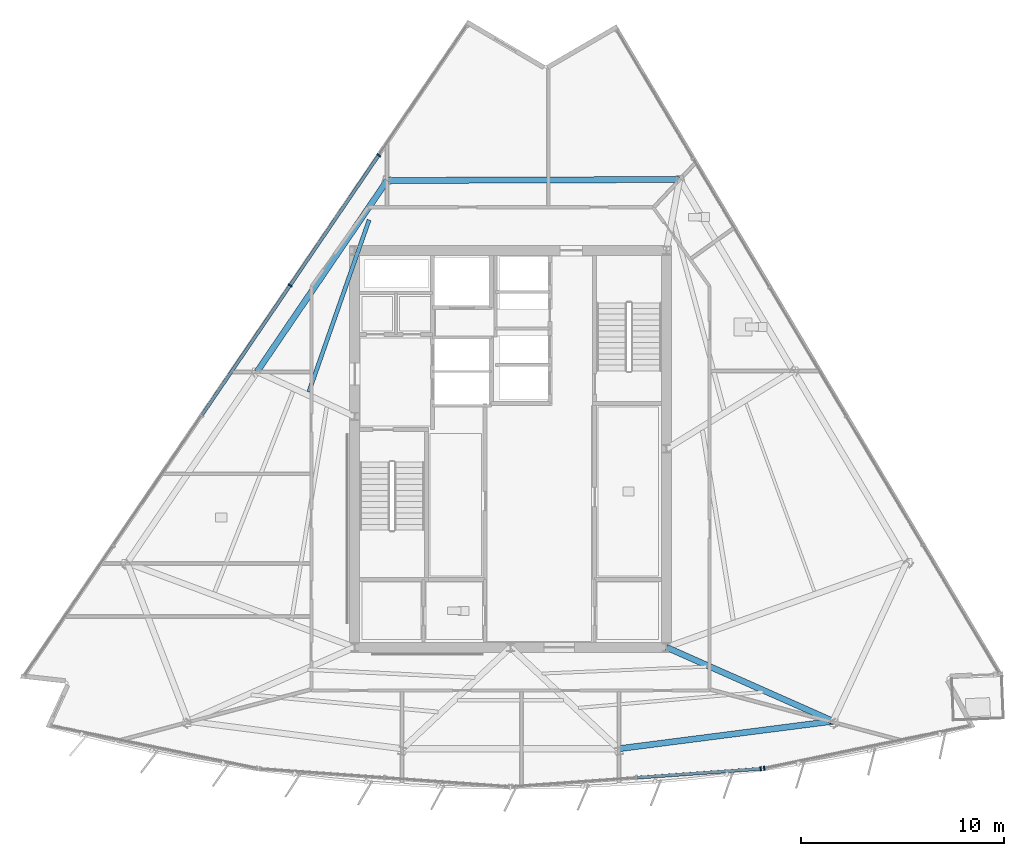
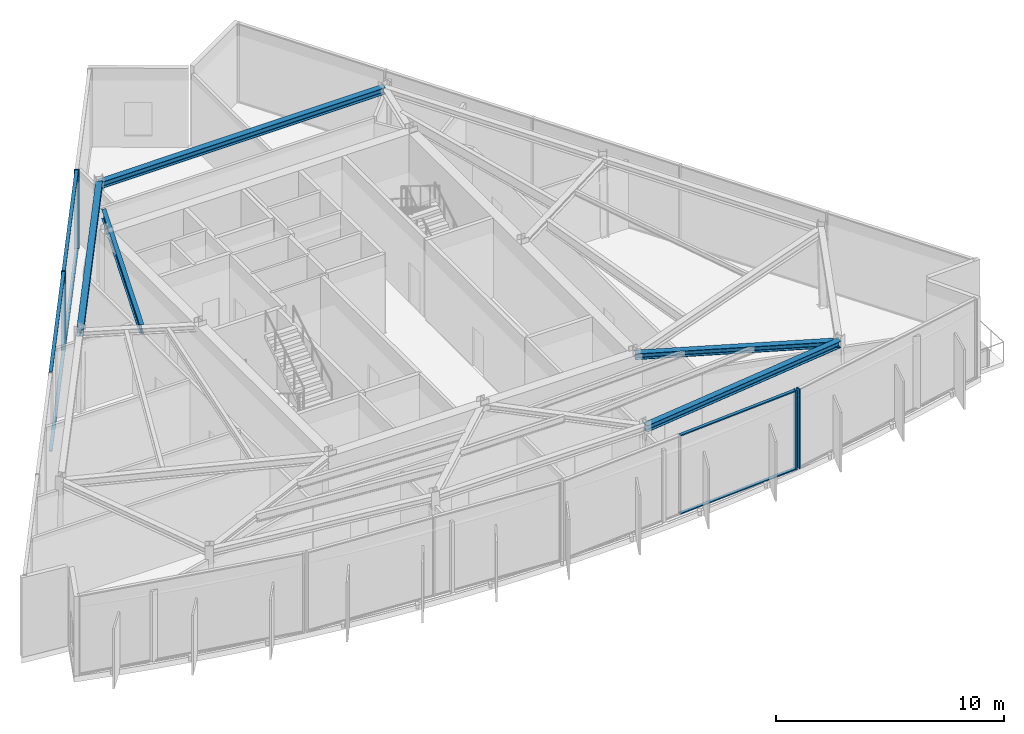
# One storey, part 3 of 12: 10 members, 5 beams, 3 elements without a shape of their own.
"""IFC4 building model written with IfcOpenShell, lengths in metres."""

from ifc_helpers import new_model, si_unit, direction, frame, origin, origin_2d, place, context, subcontext, project, spatial, rectangle, i_section, extrude, material, material_profile, profile_set, type_object, element, aggregate, save


model = new_model("IFC4")

# Units and contexts
model_context = context("Model", 3, precision=1e-05, world=origin(), true_north=direction((0.0, 1.0)))
body_context = subcontext(model_context, "Body", "Model", "MODEL_VIEW")
ifc_project = project(units=[si_unit("LENGTHUNIT", "METRE"), si_unit("AREAUNIT", "SQUARE_METRE"), si_unit("VOLUMEUNIT", "CUBIC_METRE"), si_unit("PLANEANGLEUNIT", "RADIAN"), si_unit("MASSUNIT", "GRAM", prefix="KILO")], contexts=[model_context])

# Site, building, storey
site_placement = place(None, origin())
site = spatial("IfcSite", under=ifc_project, at=site_placement, CompositionType="ELEMENT")
building_placement = place(site_placement, origin())
building = spatial("IfcBuilding", under=site, at=building_placement, Name="Savorim Split Tower", CompositionType="ELEMENT")
storey_placement = place(building_placement, frame((0.0, 0.0, 246.300048828125)))
storey = spatial("IfcBuildingStorey", under=building, at=storey_placement, Name="L65", CompositionType="ELEMENT", Elevation=246.300048828125)

# Beams
ifc_material_1 = material(Name="Steel S355", Category="steel")
ifc_material_profile_1 = material_profile(ifc_material_1, i_section(OverallWidth=0.199951171875, OverallDepth=0.5, WebThickness=0.01025390625, FlangeThickness=0.01611328125, FilletRadius=0.02099609375, at=origin_2d()), Name="IPE 500")
ifc_profile_set_1 = profile_set([ifc_material_profile_1], Name="Steel S355")
beam_type_1 = type_object("IfcBeamType", Name="BM-JST-IPE500", PredefinedType="JOIST", material=ifc_profile_set_1)
beam_1_placement = place(storey_placement, frame((-6.980224609375, 11.7060546875, 4.0), z_axis=(-0.330711757459, -0.943731812264, 0.0), x_axis=(0.943731812264, -0.330711757459, 0.0)))
element("IfcBeam", 1, at=beam_1_placement, inside=storey, type_object=beam_type_1, Name="L65 Secondary Floor Joist JS-09", PredefinedType="JOIST", context=body_context, shape_type="SweptSolid", body=[
    extrude(i_section(OverallWidth=0.199951171875, OverallDepth=0.5, WebThickness=0.01025390625, FlangeThickness=0.01611328125, FilletRadius=0.02099609375, at=origin_2d()), origin(), (0.0, 0.0, 1.0), 8.998291015625),
])
ifc_material_profile_2 = material_profile(ifc_material_1, i_section(OverallWidth=0.300048828125, OverallDepth=0.320068359375, WebThickness=0.011474609375, FlangeThickness=0.0205078125, FilletRadius=0.027099609375, at=origin_2d()), Name="HEB 320")
ifc_profile_set_2 = profile_set([ifc_material_profile_2], Name="Steel S355")
beam_type_2 = type_object("IfcBeamType", Name="BM-PRI-HEB320", PredefinedType="BEAM", material=ifc_profile_set_2)
beam_2_placement = place(storey_placement, frame((15.927490234375, -13.048828125, 4.08984375), z_axis=(-0.914131178879, 0.405418534111, 0.0), x_axis=(-0.405418534111, -0.914131178879, 0.0)))
element("IfcBeam", 2, at=beam_2_placement, inside=storey, type_object=beam_type_2, Name="L65 Primary Floor Girder RG-04", PredefinedType="BEAM", context=body_context, shape_type="SweptSolid", body=[
    extrude(i_section(OverallWidth=0.300048828125, OverallDepth=0.320068359375, WebThickness=0.011474609375, FlangeThickness=0.0205078125, FilletRadius=0.027099609375, at=origin_2d()), origin(), (0.0, 0.0, 1.0), 9.00048828125),
])
ifc_material_profile_3 = material_profile(ifc_material_1, i_section(OverallWidth=0.300048828125, OverallDepth=0.35009765625, WebThickness=0.010009765625, FlangeThickness=0.017578125, FilletRadius=0.027099609375, at=origin_2d()), Name="HEA 360")
ifc_profile_set_3 = profile_set([ifc_material_profile_3], Name="Steel S355")
beam_type_3 = type_object("IfcBeamType", Name="BM-SPN-HEA360", PredefinedType="SPANDREL", material=ifc_profile_set_3)
beam_3_placement = place(storey_placement, frame((5.338134765625, -14.408447265625, 4.074951171875), z_axis=(0.991857907137, 0.127349487823, 0.0), x_axis=(-0.127349487823, 0.991857907137, 0.0)))
element("IfcBeam", 3, at=beam_3_placement, inside=storey, type_object=beam_type_3, Name="L65 Perimeter Spandrel Beam 3", PredefinedType="SPANDREL", context=body_context, shape_type="SweptSolid", body=[
    extrude(i_section(OverallWidth=0.300048828125, OverallDepth=0.35009765625, WebThickness=0.010009765625, FlangeThickness=0.017578125, FilletRadius=0.027099609375, at=origin_2d()), origin(), (0.0, 0.0, 1.0), 10.67626953125),
])
beam_4_placement = place(storey_placement, frame((8.349609375, 13.700927734375, 4.074951171875), z_axis=(-0.999994282904, -0.003381443489, 0.0), x_axis=(0.003381443489, -0.999994282904, 0.0)))
element("IfcBeam", 4, at=beam_4_placement, inside=storey, type_object=beam_type_3, Name="L65 Perimeter Spandrel Beam 7", PredefinedType="SPANDREL", context=body_context, shape_type="SweptSolid", body=[
    extrude(i_section(OverallWidth=0.300048828125, OverallDepth=0.35009765625, WebThickness=0.010009765625, FlangeThickness=0.017578125, FilletRadius=0.027099609375, at=origin_2d()), origin(), (0.0, 0.0, 1.0), 14.43994140625),
])
beam_5_placement = place(storey_placement, frame((-6.09033203125, 13.652099609375, 4.074951171875), z_axis=(-0.562465052159, -0.826821059903, 0.0), x_axis=(0.826821059903, -0.562465052159, 0.0)))
element("IfcBeam", 5, at=beam_5_placement, inside=storey, type_object=beam_type_3, Name="L65 Perimeter Spandrel Beam 8", PredefinedType="SPANDREL", context=body_context, shape_type="SweptSolid", body=[
    extrude(i_section(OverallWidth=0.300048828125, OverallDepth=0.35009765625, WebThickness=0.010009765625, FlangeThickness=0.017578125, FilletRadius=0.027099609375, at=origin_2d()), origin(), (0.0, 0.0, 1.0), 11.413818359375),
])

# Curtain wall, member
ifc_material_2 = material(Name="Dark Ceramic-Fritted Insulated Glass", Category="glass")
curtain_wall_type = type_object("IfcCurtainWallType", Name="CW-SKY-ATRIUM", PredefinedType="NOTDEFINED", material=ifc_material_2)
curtain_wall_1_placement = place(storey_placement, origin())
curtain_wall_1 = element("IfcCurtainWall", 6, at=curtain_wall_1_placement, inside=storey, type_object=curtain_wall_type, Name="L65 Curtain Wall CW-L65-SF3", PredefinedType="NOTDEFINED")
ifc_material_3 = material(Name="Charcoal Anodised Aluminium", Category="aluminium")
ifc_material_profile_4 = material_profile(ifc_material_3, rectangle(XDim=0.219970703125, YDim=0.070068359375, at=origin_2d()), Name="ALU-M 220x70")
ifc_profile_set_4 = profile_set([ifc_material_profile_4], Name="Charcoal Anodised Aluminium")
member_type_1 = type_object("IfcMemberType", Name="CWM-220x70", PredefinedType="MULLION", material=ifc_profile_set_4)
member_1_placement = place(storey_placement, frame((12.357177734375, -15.396240234375, 0.0), z_axis=(0.0, 0.0, 1.0), x_axis=(-0.071562386711, 0.997436125678, 0.0)))
member_1 = element("IfcMember", 7, at=member_1_placement, type_object=member_type_1, Name="CW-05 mullion 3", PredefinedType="MULLION", context=body_context, shape_type="SweptSolid", body=[
    extrude(rectangle(XDim=0.219970703125, YDim=0.070068359375, at=origin_2d()), origin(), (0.0, 0.0, 1.0), 4.25),
])

curtain_wall_2_placement = place(storey_placement, origin())
curtain_wall_2 = element("IfcCurtainWall", 8, at=curtain_wall_2_placement, inside=storey, type_object=curtain_wall_type, Name="L65 Curtain Wall CW-L65-SF4", PredefinedType="NOTDEFINED")
member_2_placement = place(storey_placement, frame((12.529052734375, -15.372314453125, 0.0), z_axis=(0.0, 0.0, 1.0), x_axis=(-0.20320761208, 0.979135673129, 0.0)))
member_2 = element("IfcMember", 9, at=member_2_placement, type_object=member_type_1, Name="CW-05 mullion 1", PredefinedType="MULLION", context=body_context, shape_type="SweptSolid", body=[
    extrude(rectangle(XDim=0.219970703125, YDim=0.070068359375, at=origin_2d()), origin(), (0.0, 0.0, 1.0), 4.25),
])
aggregate(curtain_wall_2, [member_2])

# Curtain wall, members
curtain_wall_3_placement = place(storey_placement, origin())
curtain_wall_3 = element("IfcCurtainWall", 10, at=curtain_wall_3_placement, inside=storey, type_object=curtain_wall_type, Name="L65 Curtain Wall CW-L65-WEST", PredefinedType="NOTDEFINED")
member_3_placement = place(storey_placement, frame((-6.505126953125, 14.8994140625, 0.0), z_axis=(0.0, 0.0, 1.0), x_axis=(0.826818160785, -0.562469313826, 0.0)))
member_3 = element("IfcMember", 11, at=member_3_placement, type_object=member_type_1, Name="CW-05 mullion 2", PredefinedType="MULLION", context=body_context, shape_type="SweptSolid", body=[
    extrude(rectangle(XDim=0.219970703125, YDim=0.070068359375, at=origin_2d()), origin(), (0.0, 0.0, 1.0), 4.25),
])
member_4_placement = place(storey_placement, frame((-10.8779296875, 8.47119140625, 0.0), z_axis=(0.0, 0.0, 1.0), x_axis=(0.826818160785, -0.562469313826, 0.0)))
member_4 = element("IfcMember", 12, at=member_4_placement, type_object=member_type_1, Name="CW-05 mullion 3", PredefinedType="MULLION", context=body_context, shape_type="SweptSolid", body=[
    extrude(rectangle(XDim=0.219970703125, YDim=0.070068359375, at=origin_2d()), origin(), (0.0, 0.0, 1.0), 4.25),
])

# Member
ifc_material_profile_5 = material_profile(ifc_material_3, rectangle(XDim=0.159912109375, YDim=0.06005859375, at=origin_2d()), Name="ALU-T 160x60")
ifc_profile_set_5 = profile_set([ifc_material_profile_5], Name="Charcoal Anodised Aluminium")
member_type_2 = type_object("IfcMemberType", Name="CWT-160x60", PredefinedType="USERDEFINED", material=ifc_profile_set_5)
member_5_placement = place(storey_placement, frame((6.256591796875, -15.833984375, 0.030029296875), z_axis=(0.997437666286, 0.071540910498, 0.0), x_axis=(-0.071540910498, 0.997437666286, 0.0)))
member_5 = element("IfcMember", 13, at=member_5_placement, type_object=member_type_2, Name="CW-05 transom 2.1", ObjectType="TRANSOM", PredefinedType="USERDEFINED", context=body_context, shape_type="SweptSolid", body=[
    extrude(rectangle(XDim=0.159912109375, YDim=0.06005859375, at=origin_2d()), origin(), (0.0, 0.0, 1.0), 6.081298828125),
])

member_6_placement = place(storey_placement, frame((6.256591796875, -15.833984375, 4.219970703125), z_axis=(0.997437666286, 0.071540910498, 0.0), x_axis=(-0.071540910498, 0.997437666286, 0.0)))
member_6 = element("IfcMember", 14, at=member_6_placement, type_object=member_type_2, Name="CW-05 transom 2.2", ObjectType="TRANSOM", PredefinedType="USERDEFINED", context=body_context, shape_type="SweptSolid", body=[
    extrude(rectangle(XDim=0.159912109375, YDim=0.06005859375, at=origin_2d()), origin(), (0.0, 0.0, 1.0), 6.081298828125),
])

aggregate(curtain_wall_1, [member_1, member_5, member_6])

member_7_placement = place(storey_placement, frame((-6.524658203125, 14.870361328125, 0.030029296875), z_axis=(-0.562478152622, -0.826812147844, 0.0), x_axis=(0.826812147844, -0.562478152622, 0.0)))
member_7 = element("IfcMember", 15, at=member_7_placement, type_object=member_type_2, Name="CW-05 transom 2.1", ObjectType="TRANSOM", PredefinedType="USERDEFINED", context=body_context, shape_type="SweptSolid", body=[
    extrude(rectangle(XDim=0.159912109375, YDim=0.06005859375, at=origin_2d()), origin(), (0.0, 0.0, 1.0), 7.704833984375),
])

member_8_placement = place(storey_placement, frame((-6.524658203125, 14.870361328125, 4.219970703125), z_axis=(-0.562478152622, -0.826812147844, 0.0), x_axis=(0.826812147844, -0.562478152622, 0.0)))
member_8 = element("IfcMember", 16, at=member_8_placement, type_object=member_type_2, Name="CW-05 transom 2.2", ObjectType="TRANSOM", PredefinedType="USERDEFINED", context=body_context, shape_type="SweptSolid", body=[
    extrude(rectangle(XDim=0.159912109375, YDim=0.06005859375, at=origin_2d()), origin(), (0.0, 0.0, 1.0), 7.704833984375),
])

member_9_placement = place(storey_placement, frame((-10.897705078125, 8.442138671875, 0.030029296875), z_axis=(-0.562471226932, -0.826816859331, 0.0), x_axis=(0.826816859331, -0.562471226932, 0.0)))
member_9 = element("IfcMember", 17, at=member_9_placement, type_object=member_type_2, Name="CW-05 transom 3.1", ObjectType="TRANSOM", PredefinedType="USERDEFINED", context=body_context, shape_type="SweptSolid", body=[
    extrude(rectangle(XDim=0.159912109375, YDim=0.06005859375, at=origin_2d()), origin(), (0.0, 0.0, 1.0), 7.704345703125),
])

member_10_placement = place(storey_placement, frame((-10.897705078125, 8.442138671875, 4.219970703125), z_axis=(-0.562471226932, -0.826816859331, 0.0), x_axis=(0.826816859331, -0.562471226932, 0.0)))
member_10 = element("IfcMember", 18, at=member_10_placement, type_object=member_type_2, Name="CW-05 transom 3.2", ObjectType="TRANSOM", PredefinedType="USERDEFINED", context=body_context, shape_type="SweptSolid", body=[
    extrude(rectangle(XDim=0.159912109375, YDim=0.06005859375, at=origin_2d()), origin(), (0.0, 0.0, 1.0), 7.704345703125),
])

aggregate(curtain_wall_3, [member_3, member_4, member_7, member_8, member_9, member_10])

save(model, "model.ifc")
